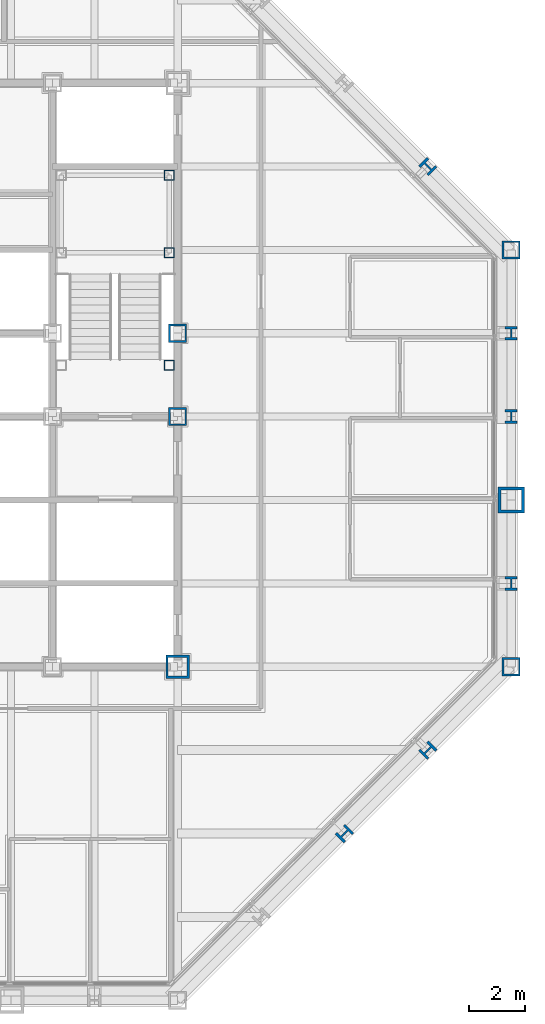
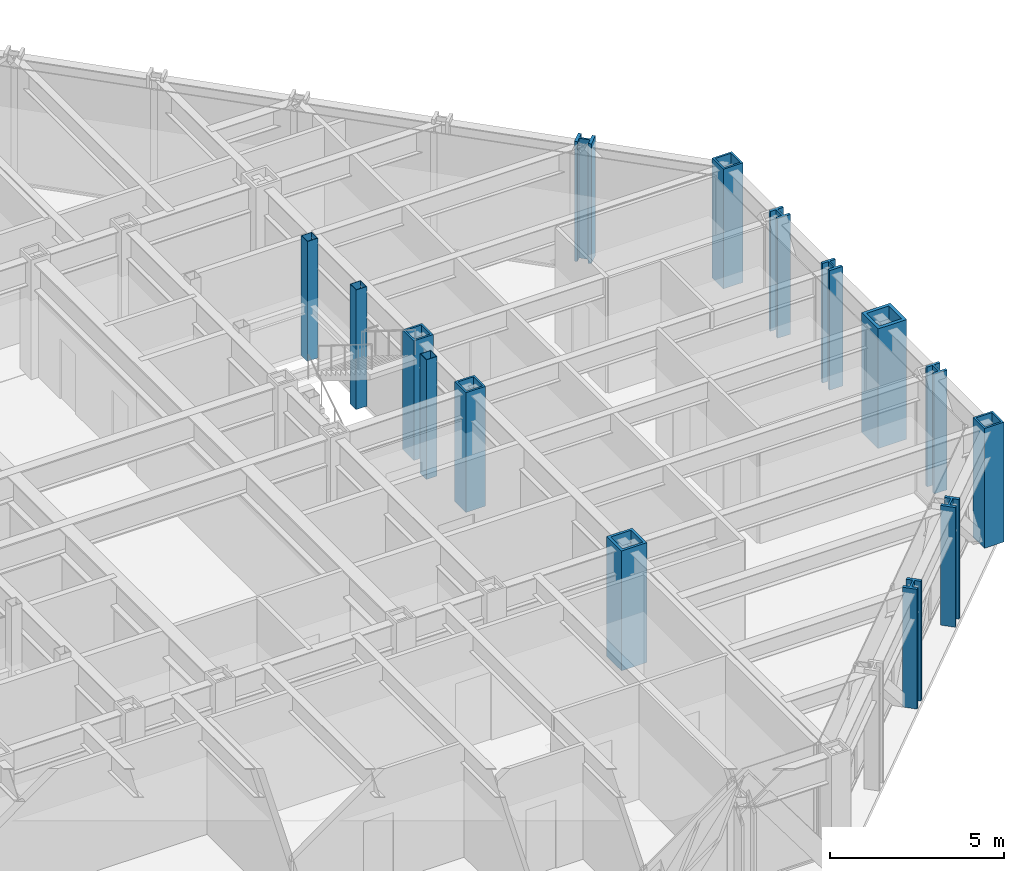
# One storey, part 2 of 15: 15 columns.
"""IFC4 building model written with IfcOpenShell, lengths in metres."""

from ifc_helpers import new_model, si_unit, direction, frame, origin, origin_2d, place, context, subcontext, project, spatial, hollow_rectangle, i_section, extrude, material, material_profile, profile_set, type_object, element, save


model = new_model("IFC4")

# Units and contexts
model_context = context("Model", 3, precision=1e-05, world=origin(), true_north=direction((0.0, 1.0)))
body_context = subcontext(model_context, "Body", "Model", "MODEL_VIEW")
ifc_project = project(units=[si_unit("LENGTHUNIT", "METRE"), si_unit("AREAUNIT", "SQUARE_METRE"), si_unit("VOLUMEUNIT", "CUBIC_METRE"), si_unit("PLANEANGLEUNIT", "RADIAN"), si_unit("MASSUNIT", "GRAM", prefix="KILO")], contexts=[model_context])

# Site, building, storey
site_placement = place(None, origin())
site = spatial("IfcSite", under=ifc_project, at=site_placement, CompositionType="ELEMENT")
building_placement = place(site_placement, origin())
building = spatial("IfcBuilding", under=site, at=building_placement, Name="Chuquiago Exchange Tower", CompositionType="ELEMENT")
storey_placement = place(building_placement, frame((0.0, 0.0, 197.10009765625)))
storey = spatial("IfcBuildingStorey", under=building, at=storey_placement, Name="L43", CompositionType="ELEMENT", Elevation=197.10009765625)

# Columns
ifc_material_1 = material(Name="Steel ASTM A992", Category="steel")
ifc_material_profile_1 = material_profile(ifc_material_1, i_section(OverallWidth=0.431884765625, OverallDepth=0.497802734375, WebThickness=0.0556640625, FlangeThickness=0.0888671875, at=origin_2d()), Name="W14X500")
ifc_profile_set_1 = profile_set([ifc_material_profile_1], Name="Steel ASTM A992")
column_type_1 = type_object("IfcColumnType", Name="C4 W14X500", PredefinedType="COLUMN", material=ifc_profile_set_1)
for number, where, z_axis, x_axis, name in (
    (1, (45.0, 15.0, 0.0), (0.0, 0.0, 1.0), (1.0, 0.0, 0.0), "COL-L43-45_15"),
    (2, (45.0, 21.0, 0.0), (0.0, 0.0, 1.0), (1.0, 0.0, 0.0), "COL-L43-45_21"),
    (3, (45.0, 24.0, 0.0), (0.0, 0.0, 1.0), (1.0, 0.0, 0.0), "COL-L43-45_24"),
):
    element("IfcColumn", number, at=place(storey_placement, frame(where, z_axis=z_axis, x_axis=x_axis)), inside=storey, type_object=column_type_1, Name=name, PredefinedType="COLUMN", context=body_context, shape_type="SweptSolid", body=[
        extrude(i_section(OverallWidth=0.431884765625, OverallDepth=0.497802734375, WebThickness=0.0556640625, FlangeThickness=0.0888671875, at=origin_2d()), origin(), (0.0, 0.0, 1.0), 4.199951171875),
    ])
ifc_material_2 = material(Name="Steel ASTM A572 Grade 50", Category="steel")
ifc_material_profile_2 = material_profile(ifc_material_2, hollow_rectangle(XDim=0.64990234375, YDim=0.64990234375, WallThickness=0.06494140625, at=origin_2d()), Name="BOX650X650X65")
ifc_profile_set_2 = profile_set([ifc_material_profile_2], Name="Steel ASTM A572 Grade 50")
column_type_2 = type_object("IfcColumnType", Name="CC4 BOX650X650X65", PredefinedType="COLUMN", material=ifc_profile_set_2)
for number, where, z_axis, x_axis, name in (
    (4, (33.0, 21.0, 0.0), (0.0, 0.0, 1.0), (1.0, 0.0, 0.0), "CCOL-L43-33_21"),
    (5, (33.0, 24.0, 0.0), (0.0, 0.0, 1.0), (1.0, 0.0, 0.0), "CCOL-L43-33_24"),
):
    element("IfcColumn", number, at=place(storey_placement, frame(where, z_axis=z_axis, x_axis=x_axis)), inside=storey, type_object=column_type_2, Name=name, PredefinedType="COLUMN", context=body_context, shape_type="SweptSolid", body=[
        extrude(hollow_rectangle(XDim=0.64990234375, YDim=0.64990234375, WallThickness=0.06494140625, at=origin_2d()), origin(), (0.0, 0.0, 1.0), 4.199951171875),
    ])
ifc_material_3 = material(Name="Steel ASTM A572 Grade 50", Category="steel")
ifc_material_profile_3 = material_profile(ifc_material_3, hollow_rectangle(XDim=0.85009765625, YDim=0.85009765625, WallThickness=0.0849609375, at=origin_2d()), Name="BOX850X850X85")
ifc_profile_set_3 = profile_set([ifc_material_profile_3], Name="Steel ASTM A572 Grade 50")
column_type_3 = type_object("IfcColumnType", Name="CC6 BOX850X850X85", PredefinedType="COLUMN", material=ifc_profile_set_3)
column_1_placement = place(storey_placement, frame((33.0, 12.0, 0.0), z_axis=(0.0, 0.0, 1.0), x_axis=(1.0, 0.0, 0.0)))
element("IfcColumn", 6, at=column_1_placement, inside=storey, type_object=column_type_3, Name="CCOL-L43-33_12", PredefinedType="COLUMN", context=body_context, shape_type="SweptSolid", body=[
    extrude(hollow_rectangle(XDim=0.85009765625, YDim=0.85009765625, WallThickness=0.0849609375, at=origin_2d()), origin(), (0.0, 0.0, 1.0), 4.199951171875),
])
ifc_material_4 = material(Name="Steel ASTM A992", Category="steel")
ifc_material_profile_4 = material_profile(ifc_material_4, i_section(OverallWidth=0.436767578125, OverallDepth=0.51318359375, WebThickness=0.060546875, FlangeThickness=0.096923828125, at=origin_2d()), Name="W14X550")
ifc_profile_set_4 = profile_set([ifc_material_profile_4], Name="Steel ASTM A992")
column_type_4 = type_object("IfcColumnType", Name="CK4 W14X550", PredefinedType="COLUMN", material=ifc_profile_set_4)
for number, where, z_axis, x_axis, name in (
    (7, (39.0, 6.0, 0.0), (0.0, 0.0, 1.0), (0.707106781187, -0.707106781187, 0.0), "COL-L43-39_6"),
    (8, (42.0, 9.0, 0.0), (0.0, 0.0, 1.0), (0.707106781187, -0.707106781187, 0.0), "COL-L43-42_9"),
    (9, (42.0, 30.0, 0.0), (0.0, 0.0, 1.0), (0.707106781187, 0.707106781187, 0.0), "COL-L43-42_30"),
):
    element("IfcColumn", number, at=place(storey_placement, frame(where, z_axis=z_axis, x_axis=x_axis)), inside=storey, type_object=column_type_4, Name=name, PredefinedType="COLUMN", context=body_context, shape_type="SweptSolid", body=[
        extrude(i_section(OverallWidth=0.436767578125, OverallDepth=0.51318359375, WebThickness=0.060546875, FlangeThickness=0.096923828125, at=origin_2d()), origin(), (0.0, 0.0, 1.0), 4.199951171875),
    ])
ifc_material_5 = material(Name="Steel ASTM A572 Grade 50", Category="steel")
ifc_material_profile_5 = material_profile(ifc_material_5, hollow_rectangle(XDim=0.64990234375, YDim=0.64990234375, WallThickness=0.06494140625, at=origin_2d()), Name="BOX650X650X65")
ifc_profile_set_5 = profile_set([ifc_material_profile_5], Name="Steel ASTM A572 Grade 50")
column_type_5 = type_object("IfcColumnType", Name="CN2 BOX650X650X65", PredefinedType="COLUMN", material=ifc_profile_set_5)
for number, where, z_axis, x_axis, name in (
    (10, (45.0, 12.0, 0.0), (0.0, 0.0, 1.0), (1.0, 0.0, 0.0), "COL-L43-45_12"),
    (11, (45.0, 27.0, 0.0), (0.0, 0.0, 1.0), (1.0, 0.0, 0.0), "COL-L43-45_27"),
):
    element("IfcColumn", number, at=place(storey_placement, frame(where, z_axis=z_axis, x_axis=x_axis)), inside=storey, type_object=column_type_5, Name=name, PredefinedType="COLUMN", context=body_context, shape_type="SweptSolid", body=[
        extrude(hollow_rectangle(XDim=0.64990234375, YDim=0.64990234375, WallThickness=0.06494140625, at=origin_2d()), origin(), (0.0, 0.0, 1.0), 4.199951171875),
    ])
ifc_material_6 = material(Name="Steel ASTM A572 Grade 42", Category="steel")
ifc_material_profile_6 = material_profile(ifc_material_6, hollow_rectangle(XDim=0.949951171875, YDim=0.949951171875, WallThickness=0.110107421875, at=origin_2d()), Name="BOX950X950X110")
ifc_profile_set_6 = profile_set([ifc_material_profile_6], Name="Steel ASTM A572 Grade 42")
column_type_6 = type_object("IfcColumnType", Name="CT1 BOX950X950X110", PredefinedType="COLUMN", material=ifc_profile_set_6)
column_2_placement = place(storey_placement, frame((45.0, 18.0, 0.0), z_axis=(0.0, 0.0, 1.0), x_axis=(1.0, 0.0, 0.0)))
element("IfcColumn", 12, at=column_2_placement, inside=storey, type_object=column_type_6, Name="COL-L43-45_18", PredefinedType="COLUMN", context=body_context, shape_type="SweptSolid", body=[
    extrude(hollow_rectangle(XDim=0.949951171875, YDim=0.949951171875, WallThickness=0.110107421875, at=origin_2d()), origin(), (0.0, 0.0, 1.0), 4.199951171875),
])
ifc_material_7 = material(Name="Steel ASTM A500 Grade C", Category="steel")
ifc_material_profile_7 = material_profile(ifc_material_7, hollow_rectangle(XDim=0.355712890625, YDim=0.355712890625, WallThickness=0.0146484375, at=origin_2d()), Name="HSS14X14X5/8")
ifc_profile_set_7 = profile_set([ifc_material_profile_7], Name="Steel ASTM A500 Grade C")
column_type_7 = type_object("IfcColumnType", Name="PT2 HSS14X14X5/8", PredefinedType="COLUMN", material=ifc_profile_set_7)
for number, where, z_axis, x_axis, name in (
    (13, (32.68994140625, 29.68994140625, 0.0), (0.0, 0.0, 1.0), (1.0, 0.0, 0.0), "Stair ST2 L43 landing post"),
    (14, (32.68994140625, 26.889892578125, 0.0), (0.0, 0.0, 1.0), (1.0, 0.0, 0.0), "Stair ST2 L43 landing post"),
    (15, (32.68994140625, 22.85009765625, 0.0), (0.0, 0.0, 1.0), (1.0, 0.0, 0.0), "Stair ST2 L43 landing post"),
):
    element("IfcColumn", number, at=place(storey_placement, frame(where, z_axis=z_axis, x_axis=x_axis)), inside=storey, type_object=column_type_7, Name=name, PredefinedType="COLUMN", context=body_context, shape_type="SweptSolid", body=[
        extrude(hollow_rectangle(XDim=0.355712890625, YDim=0.355712890625, WallThickness=0.0146484375, at=origin_2d()), origin(), (0.0, 0.0, 1.0), 4.199951171875),
    ])

save(model, "model.ifc")
